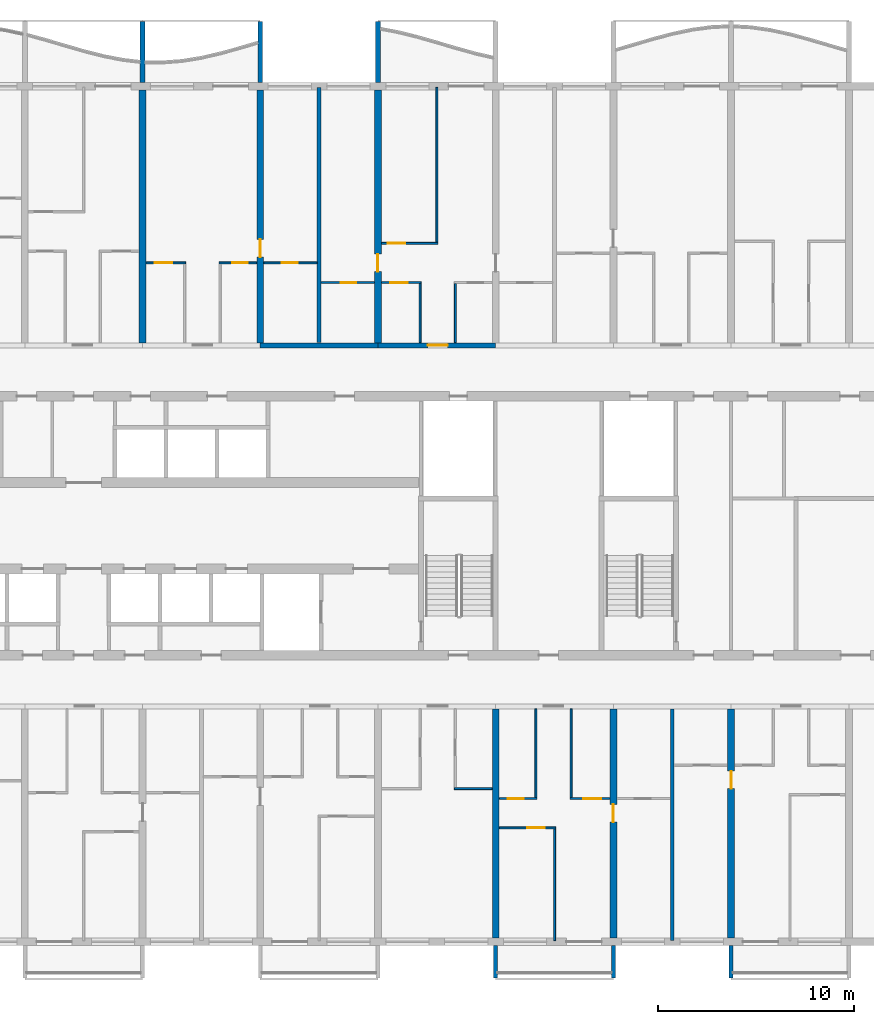
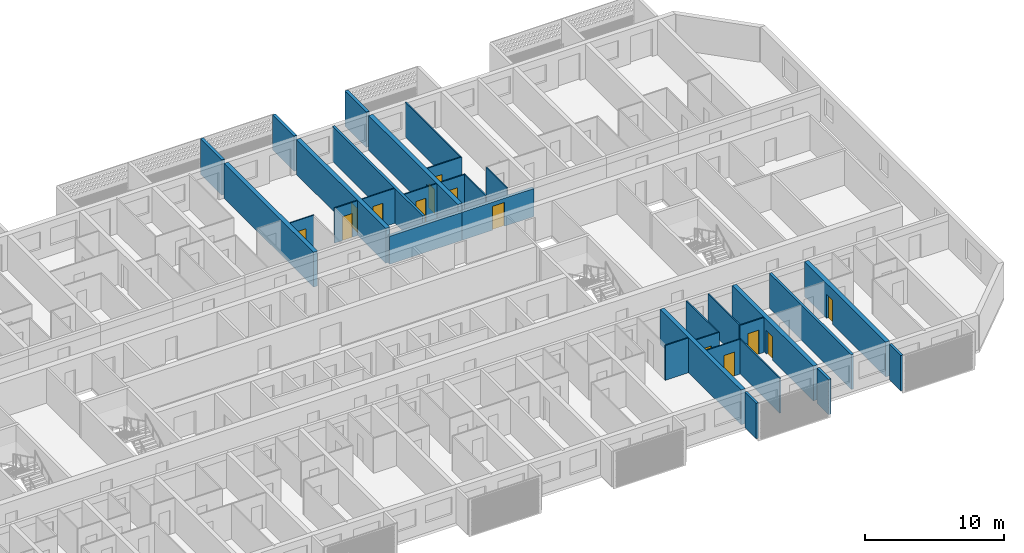
# One storey, part 13 of 26: 32 walls, 14 doors, 14 openings.
"""IFC4 building model written with IfcOpenShell, lengths in metres."""

from ifc_helpers import new_model, si_unit, direction, frame, frame_2d, origin, place, context, subcontext, project, spatial, polyline, rectangle, outline, extrude, source, transform, mapped, material, layer, layer_set, type_object, element, fill, save


model = new_model("IFC4")

# Units and contexts
model_context = context("Model", 3, precision=1e-05, world=origin(), true_north=direction((0.0, 1.0)))
body_context = subcontext(model_context, "Body", "Model", "MODEL_VIEW")
ifc_project = project(units=[si_unit("LENGTHUNIT", "METRE"), si_unit("AREAUNIT", "SQUARE_METRE"), si_unit("VOLUMEUNIT", "CUBIC_METRE"), si_unit("PLANEANGLEUNIT", "RADIAN"), si_unit("MASSUNIT", "GRAM", prefix="KILO")], contexts=[model_context])

# Site, building, storey
site_placement = place(None, origin())
site = spatial("IfcSite", under=ifc_project, at=site_placement, CompositionType="ELEMENT")
building_placement = place(site_placement, origin())
building = spatial("IfcBuilding", under=site, at=building_placement, Name="Poui Terraces", CompositionType="ELEMENT")
storey_placement = place(building_placement, frame((0.0, 0.0, 79.5)))
storey = spatial("IfcBuildingStorey", under=building, at=storey_placement, Name="L21", CompositionType="ELEMENT", Elevation=79.5)

# Wall
ifc_material_1 = material(Name="Concrete 65 MPa", Category="concrete")
ifc_layer_1 = layer(ifc_material_1, 0.25)
ifc_layer_set_1 = layer_set([ifc_layer_1], Name="Concrete 65 MPa")
wall_type_1 = type_object("IfcWallType", Name="CORRIDOR WALL 250 65MPa", PredefinedType="SHEAR", material=ifc_layer_set_1)
wall_1_placement = place(storey_placement, frame((60.0, 30.39990234375, 0.0), z_axis=(0.0, 0.0, 1.0), x_axis=(1.0, 0.0, 0.0)))
element("IfcWall", 1, at=wall_1_placement, inside=storey, type_object=wall_type_1, Name="CORRIDOR WALL LINE E BAY 10", PredefinedType="SHEAR", context=body_context, shape_type="SweptSolid", body=[
    extrude(rectangle(XDim=6.0, YDim=0.25, at=frame_2d((3.0, 0.0))), origin(), (0.0, 0.0, 1.0), 2.4599609375),
])

# Wall, opening, door
wall_2_placement = place(storey_placement, frame((66.0, 30.39990234375, 0.0), z_axis=(0.0, 0.0, 1.0), x_axis=(1.0, 0.0, 0.0)))
wall_2 = element("IfcWall", 2, at=wall_2_placement, inside=storey, type_object=wall_type_1, Name="CORRIDOR WALL LINE E BAY 11", PredefinedType="SHEAR", context=body_context, shape_type="SweptSolid", body=[
    extrude(rectangle(XDim=6.0, YDim=0.25, at=frame_2d((3.0, 0.0))), origin(), (0.0, 0.0, 1.0), 2.4599609375),
])
opening_1_placement = place(wall_2_placement, frame((2.550048828125, 0.0, 0.0)))
opening_1 = element("IfcOpeningElement", 3, at=opening_1_placement, cuts=wall_2, Name="Opening FD30S", PredefinedType="OPENING", context=body_context, shape_type="SweptSolid", body=[
    extrude(rectangle(XDim=1.0, YDim=2.10009765625, at=frame_2d((0.5, 1.050048828125))), frame((0.0, 0.135009765625, 0.0), z_axis=(0.0, -1.0, 0.0), x_axis=(1.0, 0.0, 0.0)), (0.0, 0.0, 1.0), 0.27001953125),
])
ifc_material_2 = material(Name="Steel fire door", Category="steel")
door_type_1 = type_object("IfcDoorType", Name="FLAT ENTRANCE DOOR 1000 X 2100", OperationType="NOTDEFINED", PredefinedType="DOOR", material=ifc_material_2)
door_1_placement = place(opening_1_placement, origin())
door_1 = element("IfcDoor", 4, at=door_1_placement, inside=storey, type_object=door_type_1, Name="FLAT ENTRANCE DOOR 071", OperationType="SINGLE_SWING_RIGHT", OverallHeight=2.10009765625, OverallWidth=1.0, PredefinedType="DOOR", context=body_context, shape_type="SweptSolid", body=[
    extrude(rectangle(XDim=1.0, YDim=2.10009765625, at=frame_2d((0.5, 1.050048828125))), frame((0.0, 0.02490234375, 0.0), z_axis=(0.0, -1.0, 0.0), x_axis=(1.0, 0.0, 0.0)), (0.0, 0.0, 1.0), 0.050048828125),
])
fill(opening_1, door_1)

# Wall
ifc_layer_2 = layer(ifc_material_1, 0.35009765625)
ifc_layer_set_2 = layer_set([ifc_layer_2], Name="Concrete 65 MPa")
wall_type_2 = type_object("IfcWallType", Name="CROSS WALL 350 65MPa", PredefinedType="SHEAR", material=ifc_layer_set_2)
wall_3_placement = place(storey_placement, frame((54.0, 30.52490234375, 0.0), z_axis=(0.0, 0.0, 1.0), x_axis=(0.0, 1.0, 0.0)))
element("IfcWall", 5, at=wall_3_placement, inside=storey, type_object=wall_type_2, Name="CROSS WALL LINE 10 NORTH", PredefinedType="SHEAR", context=body_context, shape_type="SweptSolid", body=[
    extrude(rectangle(XDim=12.875, YDim=0.35009765625, at=frame_2d((6.4375, 0.0))), origin(), (0.0, 0.0, 1.0), 3.06005859375),
])

# Wall, opening, door
wall_4_placement = place(storey_placement, frame((60.0, 30.52490234375, 0.0), z_axis=(0.0, 0.0, 1.0), x_axis=(0.0, 1.0, 0.0)))
wall_4 = element("IfcWall", 6, at=wall_4_placement, inside=storey, type_object=wall_type_2, Name="CROSS WALL LINE 11 NORTH", PredefinedType="SHEAR", context=body_context, shape_type="SweptSolid", body=[
    extrude(rectangle(XDim=12.875, YDim=0.35009765625, at=frame_2d((6.4375, 0.0))), origin(), (0.0, 0.0, 1.0), 3.06005859375),
])
opening_2_placement = place(wall_4_placement, frame((4.375, 0.0, 0.0)))
opening_2 = element("IfcOpeningElement", 7, at=opening_2_placement, cuts=wall_4, Name="Opening D90", PredefinedType="OPENING", context=body_context, shape_type="SweptSolid", body=[
    extrude(rectangle(XDim=0.89990234375, YDim=2.10009765625, at=frame_2d((0.449951171875, 1.050048828125))), frame((0.0, 0.18505859375, 0.0), z_axis=(0.0, -1.0, 0.0), x_axis=(1.0, 0.0, 0.0)), (0.0, 0.0, 1.0), 0.3701171875),
])
ifc_material_3 = material(Name="Solid core timber door", Category="wood")
door_type_2 = type_object("IfcDoorType", Name="INTERNAL DOOR 900 X 2100", OperationType="NOTDEFINED", PredefinedType="DOOR", material=ifc_material_3)
door_2_placement = place(opening_2_placement, frame((0.89990234375, 0.0, 0.0), z_axis=(0.0, 0.0, 1.0), x_axis=(-1.0, 0.0, 0.0)))
door_2 = element("IfcDoor", 8, at=door_2_placement, inside=storey, type_object=door_type_2, Name="INTERNAL DOOR 065", OperationType="SINGLE_SWING_RIGHT", OverallHeight=2.10009765625, OverallWidth=0.89990234375, PredefinedType="DOOR", context=body_context, shape_type="SweptSolid", body=[
    extrude(rectangle(XDim=0.89990234375, YDim=2.10009765625, at=frame_2d((0.449951171875, 1.050048828125))), frame((0.0, 0.02490234375, 0.0), z_axis=(0.0, -1.0, 0.0), x_axis=(1.0, 0.0, 0.0)), (0.0, 0.0, 1.0), 0.050048828125),
])
fill(opening_2, door_2)

wall_5_placement = place(storey_placement, frame((66.0, 30.52490234375, 0.0), z_axis=(0.0, 0.0, 1.0), x_axis=(0.0, 1.0, 0.0)))
wall_5 = element("IfcWall", 9, at=wall_5_placement, inside=storey, type_object=wall_type_2, Name="CROSS WALL LINE 12 NORTH", PredefinedType="SHEAR", context=body_context, shape_type="SweptSolid", body=[
    extrude(rectangle(XDim=12.875, YDim=0.35009765625, at=frame_2d((6.4375, 0.0))), origin(), (0.0, 0.0, 1.0), 3.06005859375),
])
opening_3_placement = place(wall_5_placement, frame((3.625, 0.0, 0.0)))
opening_3 = element("IfcOpeningElement", 10, at=opening_3_placement, cuts=wall_5, Name="Opening D90", PredefinedType="OPENING", context=body_context, shape_type="SweptSolid", body=[
    extrude(rectangle(XDim=0.89990234375, YDim=2.10009765625, at=frame_2d((0.449951171875, 1.050048828125))), frame((0.0, 0.18505859375, 0.0), z_axis=(0.0, -1.0, 0.0), x_axis=(1.0, 0.0, 0.0)), (0.0, 0.0, 1.0), 0.3701171875),
])
door_3_placement = place(opening_3_placement, origin())
door_3 = element("IfcDoor", 11, at=door_3_placement, inside=storey, type_object=door_type_2, Name="INTERNAL DOOR 068", OperationType="SINGLE_SWING_LEFT", OverallHeight=2.10009765625, OverallWidth=0.89990234375, PredefinedType="DOOR", context=body_context, shape_type="SweptSolid", body=[
    extrude(rectangle(XDim=0.89990234375, YDim=2.10009765625, at=frame_2d((0.449951171875, 1.050048828125))), frame((0.0, 0.02490234375, 0.0), z_axis=(0.0, -1.0, 0.0), x_axis=(1.0, 0.0, 0.0)), (0.0, 0.0, 1.0), 0.050048828125),
])
fill(opening_3, door_3)

# Wall
wall_6_placement = place(storey_placement, frame((72.0, 0.199951171875, 0.0), z_axis=(0.0, 0.0, 1.0), x_axis=(0.0, 1.0, 0.0)))
element("IfcWall", 12, at=wall_6_placement, inside=storey, type_object=wall_type_2, Name="CROSS WALL LINE 13 SOUTH", PredefinedType="SHEAR", context=body_context, shape_type="SweptSolid", body=[
    extrude(rectangle(XDim=11.675048828125, YDim=0.35009765625, at=frame_2d((5.83740234375, 0.0))), origin(), (0.0, 0.0, 1.0), 3.06005859375),
])

# Wall, opening, door
wall_7_placement = place(storey_placement, frame((78.0, 0.199951171875, 0.0), z_axis=(0.0, 0.0, 1.0), x_axis=(0.0, 1.0, 0.0)))
wall_7 = element("IfcWall", 13, at=wall_7_placement, inside=storey, type_object=wall_type_2, Name="CROSS WALL LINE 14 SOUTH", PredefinedType="SHEAR", context=body_context, shape_type="SweptSolid", body=[
    extrude(rectangle(XDim=11.675048828125, YDim=0.35009765625, at=frame_2d((5.83740234375, 0.0))), origin(), (0.0, 0.0, 1.0), 3.06005859375),
])
opening_4_placement = place(wall_7_placement, frame((5.89990234375, 0.0, 0.0)))
opening_4 = element("IfcOpeningElement", 14, at=opening_4_placement, cuts=wall_7, Name="Opening D90", PredefinedType="OPENING", context=body_context, shape_type="SweptSolid", body=[
    extrude(rectangle(XDim=0.89990234375, YDim=2.10009765625, at=frame_2d((0.449951171875, 1.050048828125))), frame((0.0, 0.18505859375, 0.0), z_axis=(0.0, -1.0, 0.0), x_axis=(1.0, 0.0, 0.0)), (0.0, 0.0, 1.0), 0.3701171875),
])
door_4_placement = place(opening_4_placement, frame((0.89990234375, 0.0, 0.0), z_axis=(0.0, 0.0, 1.0), x_axis=(-1.0, 0.0, 0.0)))
door_4 = element("IfcDoor", 15, at=door_4_placement, inside=storey, type_object=door_type_2, Name="INTERNAL DOOR 127", OperationType="SINGLE_SWING_LEFT", OverallHeight=2.10009765625, OverallWidth=0.89990234375, PredefinedType="DOOR", context=body_context, shape_type="SweptSolid", body=[
    extrude(rectangle(XDim=0.89990234375, YDim=2.10009765625, at=frame_2d((0.449951171875, 1.050048828125))), frame((0.0, 0.02490234375, 0.0), z_axis=(0.0, -1.0, 0.0), x_axis=(1.0, 0.0, 0.0)), (0.0, 0.0, 1.0), 0.050048828125),
])
fill(opening_4, door_4)

wall_8_placement = place(storey_placement, frame((84.0, 0.199951171875, 0.0), z_axis=(0.0, 0.0, 1.0), x_axis=(0.0, 1.0, 0.0)))
wall_8 = element("IfcWall", 16, at=wall_8_placement, inside=storey, type_object=wall_type_2, Name="CROSS WALL LINE 15 SOUTH", PredefinedType="SHEAR", context=body_context, shape_type="SweptSolid", body=[
    extrude(rectangle(XDim=11.675048828125, YDim=0.35009765625, at=frame_2d((5.83740234375, 0.0))), origin(), (0.0, 0.0, 1.0), 3.06005859375),
])
opening_5_placement = place(wall_8_placement, frame((7.60009765625, 0.0, 0.0)))
opening_5 = element("IfcOpeningElement", 17, at=opening_5_placement, cuts=wall_8, Name="Opening D90", PredefinedType="OPENING", context=body_context, shape_type="SweptSolid", body=[
    extrude(rectangle(XDim=0.89990234375, YDim=2.10009765625, at=frame_2d((0.449951171875, 1.050048828125))), frame((0.0, 0.18505859375, 0.0), z_axis=(0.0, -1.0, 0.0), x_axis=(1.0, 0.0, 0.0)), (0.0, 0.0, 1.0), 0.3701171875),
])
door_5_placement = place(opening_5_placement, origin())
door_5 = element("IfcDoor", 18, at=door_5_placement, inside=storey, type_object=door_type_2, Name="INTERNAL DOOR 129", OperationType="SINGLE_SWING_RIGHT", OverallHeight=2.10009765625, OverallWidth=0.89990234375, PredefinedType="DOOR", context=body_context, shape_type="SweptSolid", body=[
    extrude(rectangle(XDim=0.89990234375, YDim=2.10009765625, at=frame_2d((0.449951171875, 1.050048828125))), frame((0.0, 0.02490234375, 0.0), z_axis=(0.0, -1.0, 0.0), x_axis=(1.0, 0.0, 0.0)), (0.0, 0.0, 1.0), 0.050048828125),
])
fill(opening_5, door_5)

ifc_material_4 = material(Name="Plasterboard partition")
ifc_layer_3 = layer(ifc_material_4, 0.10009765625)
ifc_layer_set_3 = layer_set([ifc_layer_3], Name="Plasterboard partition")
wall_type_3 = type_object("IfcWallType", Name="FLAT PARTITION 100", PredefinedType="PARTITIONING", material=ifc_layer_set_3)
wall_9_placement = place(storey_placement, frame((72.18505859375, 5.800048828125, 0.0), z_axis=(0.0, 0.0, 1.0), x_axis=(1.0, 0.0, 0.0)))
wall_9 = element("IfcWall", 19, at=wall_9_placement, inside=storey, type_object=wall_type_3, Name="FLAT PARTITION 100", PredefinedType="PARTITIONING", context=body_context, shape_type="SweptSolid", body=[
    extrude(rectangle(XDim=2.864990234375, YDim=0.10009765625, at=frame_2d((1.4326171875, 0.0))), origin(), (0.0, 0.0, 1.0), 3.06005859375),
])
opening_6_placement = place(wall_9_placement, frame((1.4150390625, 0.0, 0.0)))
opening_6 = element("IfcOpeningElement", 20, at=opening_6_placement, cuts=wall_9, Name="Opening D90", PredefinedType="OPENING", context=body_context, shape_type="SweptSolid", body=[
    extrude(rectangle(XDim=0.89990234375, YDim=2.10009765625, at=frame_2d((0.449951171875, 1.050048828125))), frame((0.0, 0.06005859375, 0.0), z_axis=(0.0, -1.0, 0.0), x_axis=(1.0, 0.0, 0.0)), (0.0, 0.0, 1.0), 0.1201171875),
])
door_6_placement = place(opening_6_placement, origin())
door_6 = element("IfcDoor", 21, at=door_6_placement, inside=storey, type_object=door_type_2, Name="INTERNAL DOOR 124", OperationType="SINGLE_SWING_LEFT", OverallHeight=2.10009765625, OverallWidth=0.89990234375, PredefinedType="DOOR", context=body_context, shape_type="SweptSolid", body=[
    extrude(rectangle(XDim=0.89990234375, YDim=2.10009765625, at=frame_2d((0.449951171875, 1.050048828125))), frame((0.0, 0.02490234375, 0.0), z_axis=(0.0, -1.0, 0.0), x_axis=(1.0, 0.0, 0.0)), (0.0, 0.0, 1.0), 0.050048828125),
])
fill(opening_6, door_6)

wall_10_placement = place(storey_placement, frame((72.18505859375, 7.300048828125, 0.0), z_axis=(0.0, 0.0, 1.0), x_axis=(1.0, 0.0, 0.0)))
wall_10 = element("IfcWall", 22, at=wall_10_placement, inside=storey, type_object=wall_type_3, Name="FLAT PARTITION 100", PredefinedType="PARTITIONING", context=body_context, shape_type="SweptSolid", body=[
    extrude(rectangle(XDim=1.9150390625, YDim=0.10009765625, at=frame_2d((0.95751953125, 0.0))), origin(), (0.0, 0.0, 1.0), 3.06005859375),
])
opening_7_placement = place(wall_10_placement, frame((0.43994140625, 0.0, 0.0)))
opening_7 = element("IfcOpeningElement", 23, at=opening_7_placement, cuts=wall_10, Name="Opening D80", PredefinedType="OPENING", context=body_context, shape_type="SweptSolid", body=[
    extrude(rectangle(XDim=0.800048828125, YDim=2.10009765625, at=frame_2d((0.39990234375, 1.050048828125))), frame((0.0, 0.06005859375, 0.0), z_axis=(0.0, -1.0, 0.0), x_axis=(1.0, 0.0, 0.0)), (0.0, 0.0, 1.0), 0.1201171875),
])
door_type_3 = type_object("IfcDoorType", Name="BATHROOM, LAUNDRY AND STORE DOOR 800 X 2100", OperationType="NOTDEFINED", PredefinedType="DOOR", material=ifc_material_3)
door_7_placement = place(opening_7_placement, origin())
door_7 = element("IfcDoor", 24, at=door_7_placement, inside=storey, type_object=door_type_3, Name="BATHROOM, LAUNDRY AND STORE DOOR 123", OperationType="SINGLE_SWING_RIGHT", OverallHeight=2.10009765625, OverallWidth=0.800048828125, PredefinedType="DOOR", context=body_context, shape_type="SweptSolid", body=[
    extrude(rectangle(XDim=0.800048828125, YDim=2.10009765625, at=frame_2d((0.39990234375, 1.050048828125))), frame((0.0, 0.02490234375, 0.0), z_axis=(0.0, -1.0, 0.0), x_axis=(1.0, 0.0, 0.0)), (0.0, 0.0, 1.0), 0.050048828125),
])
fill(opening_7, door_7)

wall_11_placement = place(storey_placement, frame((75.800048828125, 7.300048828125, 0.0), z_axis=(0.0, 0.0, 1.0), x_axis=(1.0, 0.0, 0.0)))
wall_11 = element("IfcWall", 25, at=wall_11_placement, inside=storey, type_object=wall_type_3, Name="FLAT PARTITION 100", PredefinedType="PARTITIONING", context=body_context, shape_type="SweptSolid", body=[
    extrude(rectangle(XDim=2.014892578125, YDim=0.10009765625, at=frame_2d((1.00732421875, 0.0))), origin(), (0.0, 0.0, 1.0), 3.06005859375),
])
opening_8_placement = place(wall_11_placement, frame((0.675048828125, 0.0, 0.0)))
opening_8 = element("IfcOpeningElement", 26, at=opening_8_placement, cuts=wall_11, Name="Opening D90", PredefinedType="OPENING", context=body_context, shape_type="SweptSolid", body=[
    extrude(rectangle(XDim=0.89990234375, YDim=2.10009765625, at=frame_2d((0.449951171875, 1.050048828125))), frame((0.0, 0.06005859375, 0.0), z_axis=(0.0, -1.0, 0.0), x_axis=(1.0, 0.0, 0.0)), (0.0, 0.0, 1.0), 0.1201171875),
])
door_8_placement = place(opening_8_placement, origin())
door_8 = element("IfcDoor", 27, at=door_8_placement, inside=storey, type_object=door_type_2, Name="INTERNAL DOOR 126", OperationType="SINGLE_SWING_LEFT", OverallHeight=2.10009765625, OverallWidth=0.89990234375, PredefinedType="DOOR", context=body_context, shape_type="SweptSolid", body=[
    extrude(rectangle(XDim=0.89990234375, YDim=2.10009765625, at=frame_2d((0.449951171875, 1.050048828125))), frame((0.0, 0.02490234375, 0.0), z_axis=(0.0, -1.0, 0.0), x_axis=(1.0, 0.0, 0.0)), (0.0, 0.0, 1.0), 0.050048828125),
])
fill(opening_8, door_8)

# Wall
wall_12_placement = place(storey_placement, frame((69.89990234375, 7.800048828125, 0.0), z_axis=(0.0, 0.0, 1.0), x_axis=(1.0, 0.0, 0.0)))
element("IfcWall", 28, at=wall_12_placement, inside=storey, type_object=wall_type_3, Name="FLAT PARTITION 100", PredefinedType="PARTITIONING", context=body_context, shape_type="SweptSolid", body=[
    extrude(rectangle(XDim=1.9150390625, YDim=0.10009765625, at=frame_2d((0.95751953125, 0.0))), origin(), (0.0, 0.0, 1.0), 3.06005859375),
])

# Wall, opening, door
wall_13_placement = place(storey_placement, frame((63.10009765625, 33.60009765625, 0.0), z_axis=(0.0, 0.0, 1.0), x_axis=(1.0, 0.0, 0.0)))
wall_13 = element("IfcWall", 29, at=wall_13_placement, inside=storey, type_object=wall_type_3, Name="FLAT PARTITION 100", PredefinedType="PARTITIONING", context=body_context, shape_type="SweptSolid", body=[
    extrude(rectangle(XDim=2.71484375, YDim=0.10009765625, at=frame_2d((1.357421875, 0.0))), origin(), (0.0, 0.0, 1.0), 3.06005859375),
])
opening_9_placement = place(wall_13_placement, frame((1.0, 0.0, 0.0)))
opening_9 = element("IfcOpeningElement", 30, at=opening_9_placement, cuts=wall_13, Name="Opening D80", PredefinedType="OPENING", context=body_context, shape_type="SweptSolid", body=[
    extrude(rectangle(XDim=0.800048828125, YDim=2.10009765625, at=frame_2d((0.39990234375, 1.050048828125))), frame((0.0, 0.06005859375, 0.0), z_axis=(0.0, -1.0, 0.0), x_axis=(1.0, 0.0, 0.0)), (0.0, 0.0, 1.0), 0.1201171875),
])
door_9_placement = place(opening_9_placement, frame((0.800048828125, 0.0, 0.0), z_axis=(0.0, 0.0, 1.0), x_axis=(-1.0, 0.0, 0.0)))
door_9 = element("IfcDoor", 31, at=door_9_placement, inside=storey, type_object=door_type_3, Name="BATHROOM, LAUNDRY AND STORE DOOR 066", OperationType="SINGLE_SWING_RIGHT", OverallHeight=2.10009765625, OverallWidth=0.800048828125, PredefinedType="DOOR", context=body_context, shape_type="SweptSolid", body=[
    extrude(rectangle(XDim=0.800048828125, YDim=2.10009765625, at=frame_2d((0.39990234375, 1.050048828125))), frame((0.0, 0.02490234375, 0.0), z_axis=(0.0, -1.0, 0.0), x_axis=(1.0, 0.0, 0.0)), (0.0, 0.0, 1.0), 0.050048828125),
])
fill(opening_9, door_9)

wall_14_placement = place(storey_placement, frame((66.18505859375, 33.60009765625, 0.0), z_axis=(0.0, 0.0, 1.0), x_axis=(1.0, 0.0, 0.0)))
wall_14 = element("IfcWall", 32, at=wall_14_placement, inside=storey, type_object=wall_type_3, Name="FLAT PARTITION 100", PredefinedType="PARTITIONING", context=body_context, shape_type="SweptSolid", body=[
    extrude(rectangle(XDim=2.014892578125, YDim=0.10009765625, at=frame_2d((1.00732421875, 0.0))), origin(), (0.0, 0.0, 1.0), 3.06005859375),
])
opening_10_placement = place(wall_14_placement, frame((0.43994140625, 0.0, 0.0)))
opening_10 = element("IfcOpeningElement", 33, at=opening_10_placement, cuts=wall_14, Name="Opening D90", PredefinedType="OPENING", context=body_context, shape_type="SweptSolid", body=[
    extrude(rectangle(XDim=0.89990234375, YDim=2.10009765625, at=frame_2d((0.449951171875, 1.050048828125))), frame((0.0, 0.06005859375, 0.0), z_axis=(0.0, -1.0, 0.0), x_axis=(1.0, 0.0, 0.0)), (0.0, 0.0, 1.0), 0.1201171875),
])
door_10_placement = place(opening_10_placement, frame((0.89990234375, 0.0, 0.0), z_axis=(0.0, 0.0, 1.0), x_axis=(-1.0, 0.0, 0.0)))
door_10 = element("IfcDoor", 34, at=door_10_placement, inside=storey, type_object=door_type_2, Name="INTERNAL DOOR 070", OperationType="SINGLE_SWING_RIGHT", OverallHeight=2.10009765625, OverallWidth=0.89990234375, PredefinedType="DOOR", context=body_context, shape_type="SweptSolid", body=[
    extrude(rectangle(XDim=0.89990234375, YDim=2.10009765625, at=frame_2d((0.449951171875, 1.050048828125))), frame((0.0, 0.02490234375, 0.0), z_axis=(0.0, -1.0, 0.0), x_axis=(1.0, 0.0, 0.0)), (0.0, 0.0, 1.0), 0.050048828125),
])
fill(opening_10, door_10)

wall_15_placement = place(storey_placement, frame((54.18505859375, 34.60009765625, 0.0), z_axis=(0.0, 0.0, 1.0), x_axis=(1.0, 0.0, 0.0)))
wall_15 = element("IfcWall", 35, at=wall_15_placement, inside=storey, type_object=wall_type_3, Name="FLAT PARTITION 100", PredefinedType="PARTITIONING", context=body_context, shape_type="SweptSolid", body=[
    extrude(rectangle(XDim=2.014892578125, YDim=0.10009765625, at=frame_2d((1.00732421875, 0.0))), origin(), (0.0, 0.0, 1.0), 3.06005859375),
])
opening_11_placement = place(wall_15_placement, frame((0.43994140625, 0.0, 0.0)))
opening_11 = element("IfcOpeningElement", 36, at=opening_11_placement, cuts=wall_15, Name="Opening D90", PredefinedType="OPENING", context=body_context, shape_type="SweptSolid", body=[
    extrude(rectangle(XDim=0.89990234375, YDim=2.10009765625, at=frame_2d((0.449951171875, 1.050048828125))), frame((0.0, 0.06005859375, 0.0), z_axis=(0.0, -1.0, 0.0), x_axis=(1.0, 0.0, 0.0)), (0.0, 0.0, 1.0), 0.1201171875),
])
door_11_placement = place(opening_11_placement, frame((0.89990234375, 0.0, 0.0), z_axis=(0.0, 0.0, 1.0), x_axis=(-1.0, 0.0, 0.0)))
door_11 = element("IfcDoor", 37, at=door_11_placement, inside=storey, type_object=door_type_2, Name="INTERNAL DOOR 062", OperationType="SINGLE_SWING_RIGHT", OverallHeight=2.10009765625, OverallWidth=0.89990234375, PredefinedType="DOOR", context=body_context, shape_type="SweptSolid", body=[
    extrude(rectangle(XDim=0.89990234375, YDim=2.10009765625, at=frame_2d((0.449951171875, 1.050048828125))), frame((0.0, 0.02490234375, 0.0), z_axis=(0.0, -1.0, 0.0), x_axis=(1.0, 0.0, 0.0)), (0.0, 0.0, 1.0), 0.050048828125),
])
fill(opening_11, door_11)

wall_16_placement = place(storey_placement, frame((57.89990234375, 34.60009765625, 0.0), z_axis=(0.0, 0.0, 1.0), x_axis=(1.0, 0.0, 0.0)))
wall_16 = element("IfcWall", 38, at=wall_16_placement, inside=storey, type_object=wall_type_3, Name="FLAT PARTITION 100", PredefinedType="PARTITIONING", context=body_context, shape_type="SweptSolid", body=[
    extrude(rectangle(XDim=1.9150390625, YDim=0.10009765625, at=frame_2d((0.95751953125, 0.0))), origin(), (0.0, 0.0, 1.0), 3.06005859375),
])
opening_12_placement = place(wall_16_placement, frame((0.675048828125, 0.0, 0.0)))
opening_12 = element("IfcOpeningElement", 39, at=opening_12_placement, cuts=wall_16, Name="Opening D80", PredefinedType="OPENING", context=body_context, shape_type="SweptSolid", body=[
    extrude(rectangle(XDim=0.800048828125, YDim=2.10009765625, at=frame_2d((0.39990234375, 1.050048828125))), frame((0.0, 0.06005859375, 0.0), z_axis=(0.0, -1.0, 0.0), x_axis=(1.0, 0.0, 0.0)), (0.0, 0.0, 1.0), 0.1201171875),
])
door_12_placement = place(opening_12_placement, frame((0.800048828125, 0.0, 0.0), z_axis=(0.0, 0.0, 1.0), x_axis=(-1.0, 0.0, 0.0)))
door_12 = element("IfcDoor", 40, at=door_12_placement, inside=storey, type_object=door_type_3, Name="BATHROOM, LAUNDRY AND STORE DOOR 064", OperationType="SINGLE_SWING_LEFT", OverallHeight=2.10009765625, OverallWidth=0.800048828125, PredefinedType="DOOR", context=body_context, shape_type="SweptSolid", body=[
    extrude(rectangle(XDim=0.800048828125, YDim=2.10009765625, at=frame_2d((0.39990234375, 1.050048828125))), frame((0.0, 0.02490234375, 0.0), z_axis=(0.0, -1.0, 0.0), x_axis=(1.0, 0.0, 0.0)), (0.0, 0.0, 1.0), 0.050048828125),
])
fill(opening_12, door_12)

wall_17_placement = place(storey_placement, frame((60.18505859375, 34.60009765625, 0.0), z_axis=(0.0, 0.0, 1.0), x_axis=(1.0, 0.0, 0.0)))
wall_17 = element("IfcWall", 41, at=wall_17_placement, inside=storey, type_object=wall_type_3, Name="FLAT PARTITION 100", PredefinedType="PARTITIONING", context=body_context, shape_type="SweptSolid", body=[
    extrude(rectangle(XDim=2.71484375, YDim=0.10009765625, at=frame_2d((1.357421875, 0.0))), origin(), (0.0, 0.0, 1.0), 3.06005859375),
])
opening_13_placement = place(wall_17_placement, frame((0.9150390625, 0.0, 0.0)))
opening_13 = element("IfcOpeningElement", 42, at=opening_13_placement, cuts=wall_17, Name="Opening D80", PredefinedType="OPENING", context=body_context, shape_type="SweptSolid", body=[
    extrude(rectangle(XDim=0.800048828125, YDim=2.10009765625, at=frame_2d((0.39990234375, 1.050048828125))), frame((0.0, 0.06005859375, 0.0), z_axis=(0.0, -1.0, 0.0), x_axis=(1.0, 0.0, 0.0)), (0.0, 0.0, 1.0), 0.1201171875),
])
door_13_placement = place(opening_13_placement, frame((0.800048828125, 0.0, 0.0), z_axis=(0.0, 0.0, 1.0), x_axis=(-1.0, 0.0, 0.0)))
door_13 = element("IfcDoor", 43, at=door_13_placement, inside=storey, type_object=door_type_3, Name="BATHROOM, LAUNDRY AND STORE DOOR 061", OperationType="SINGLE_SWING_LEFT", OverallHeight=2.10009765625, OverallWidth=0.800048828125, PredefinedType="DOOR", context=body_context, shape_type="SweptSolid", body=[
    extrude(rectangle(XDim=0.800048828125, YDim=2.10009765625, at=frame_2d((0.39990234375, 1.050048828125))), frame((0.0, 0.02490234375, 0.0), z_axis=(0.0, -1.0, 0.0), x_axis=(1.0, 0.0, 0.0)), (0.0, 0.0, 1.0), 0.050048828125),
])
fill(opening_13, door_13)

wall_18_placement = place(storey_placement, frame((66.18505859375, 35.60009765625, 0.0), z_axis=(0.0, 0.0, 1.0), x_axis=(1.0, 0.0, 0.0)))
wall_18 = element("IfcWall", 44, at=wall_18_placement, inside=storey, type_object=wall_type_3, Name="FLAT PARTITION 100", PredefinedType="PARTITIONING", context=body_context, shape_type="SweptSolid", body=[
    extrude(rectangle(XDim=2.864990234375, YDim=0.10009765625, at=frame_2d((1.4326171875, 0.0))), origin(), (0.0, 0.0, 1.0), 3.06005859375),
])
opening_14_placement = place(wall_18_placement, frame((0.31494140625, 0.0, 0.0)))
opening_14 = element("IfcOpeningElement", 45, at=opening_14_placement, cuts=wall_18, Name="Opening D90", PredefinedType="OPENING", context=body_context, shape_type="SweptSolid", body=[
    extrude(rectangle(XDim=0.89990234375, YDim=2.10009765625, at=frame_2d((0.449951171875, 1.050048828125))), frame((0.0, 0.06005859375, 0.0), z_axis=(0.0, -1.0, 0.0), x_axis=(1.0, 0.0, 0.0)), (0.0, 0.0, 1.0), 0.1201171875),
])
door_14_placement = place(opening_14_placement, frame((0.89990234375, 0.0, 0.0), z_axis=(0.0, 0.0, 1.0), x_axis=(-1.0, 0.0, 0.0)))
door_14 = element("IfcDoor", 46, at=door_14_placement, inside=storey, type_object=door_type_2, Name="INTERNAL DOOR 069", OperationType="SINGLE_SWING_LEFT", OverallHeight=2.10009765625, OverallWidth=0.89990234375, PredefinedType="DOOR", context=body_context, shape_type="SweptSolid", body=[
    extrude(rectangle(XDim=0.89990234375, YDim=2.10009765625, at=frame_2d((0.449951171875, 1.050048828125))), frame((0.0, 0.02490234375, 0.0), z_axis=(0.0, -1.0, 0.0), x_axis=(1.0, 0.0, 0.0)), (0.0, 0.0, 1.0), 0.050048828125),
])
fill(opening_14, door_14)

# Walls
wall_19_placement = place(storey_placement, frame((68.14990234375, 30.534912109375, 0.0), z_axis=(0.0, 0.0, 1.0), x_axis=(0.0, 1.0, 0.0)))
element("IfcWall", 47, at=wall_19_placement, inside=storey, type_object=wall_type_3, Name="FLAT PARTITION 100", PredefinedType="PARTITIONING", context=body_context, shape_type="SweptSolid", body=[
    extrude(rectangle(XDim=3.01513671875, YDim=0.10009765625, at=frame_2d((1.507568359375, 0.0))), origin(), (0.0, 0.0, 1.0), 3.06005859375),
])
wall_20_placement = place(storey_placement, frame((69.0, 35.64990234375, 0.0), z_axis=(0.0, 0.0, 1.0), x_axis=(0.0, 1.0, 0.0)))
element("IfcWall", 48, at=wall_20_placement, inside=storey, type_object=wall_type_3, Name="FLAT PARTITION 100", PredefinedType="PARTITIONING", context=body_context, shape_type="SweptSolid", body=[
    extrude(rectangle(XDim=7.89013671875, YDim=0.10009765625, at=frame_2d((3.945068359375, 0.0))), origin(), (0.0, 0.0, 1.0), 3.06005859375),
])
wall_21_placement = place(storey_placement, frame((69.949951171875, 30.534912109375, 0.0), z_axis=(0.0, 0.0, 1.0), x_axis=(0.0, 1.0, 0.0)))
element("IfcWall", 49, at=wall_21_placement, inside=storey, type_object=wall_type_3, Name="FLAT PARTITION 100", PredefinedType="PARTITIONING", context=body_context, shape_type="SweptSolid", body=[
    extrude(rectangle(XDim=3.01513671875, YDim=0.10009765625, at=frame_2d((1.507568359375, 0.0))), origin(), (0.0, 0.0, 1.0), 3.06005859375),
])
wall_22_placement = place(storey_placement, frame((74.050048828125, 7.35009765625, 0.0), z_axis=(0.0, 0.0, 1.0), x_axis=(0.0, 1.0, 0.0)))
element("IfcWall", 50, at=wall_22_placement, inside=storey, type_object=wall_type_3, Name="FLAT PARTITION 100", PredefinedType="PARTITIONING", context=body_context, shape_type="SweptSolid", body=[
    extrude(rectangle(XDim=4.514892578125, YDim=0.10009765625, at=frame_2d((2.25732421875, 0.0))), origin(), (0.0, 0.0, 1.0), 3.06005859375),
])
wall_23_placement = place(storey_placement, frame((75.0, 0.06005859375, 0.0), z_axis=(0.0, 0.0, 1.0), x_axis=(0.0, 1.0, 0.0)))
element("IfcWall", 51, at=wall_23_placement, inside=storey, type_object=wall_type_3, Name="FLAT PARTITION 100", PredefinedType="PARTITIONING", context=body_context, shape_type="SweptSolid", body=[
    extrude(rectangle(XDim=5.68994140625, YDim=0.10009765625, at=frame_2d((2.844970703125, 0.0))), origin(), (0.0, 0.0, 1.0), 3.06005859375),
])
wall_24_placement = place(storey_placement, frame((75.85009765625, 7.35009765625, 0.0), z_axis=(0.0, 0.0, 1.0), x_axis=(0.0, 1.0, 0.0)))
element("IfcWall", 52, at=wall_24_placement, inside=storey, type_object=wall_type_3, Name="FLAT PARTITION 100", PredefinedType="PARTITIONING", context=body_context, shape_type="SweptSolid", body=[
    extrude(rectangle(XDim=4.514892578125, YDim=0.10009765625, at=frame_2d((2.25732421875, 0.0))), origin(), (0.0, 0.0, 1.0), 3.06005859375),
])
ifc_material_5 = material(Name="Fire-rated masonry wall", Category="masonry")
ifc_layer_4 = layer(ifc_material_5, 0.199951171875)
ifc_layer_set_4 = layer_set([ifc_layer_4], Name="Fire-rated masonry wall")
wall_type_4 = type_object("IfcWallType", Name="FLAT PARTY WALL 200", PredefinedType="PARTITIONING", material=ifc_layer_set_4)
wall_25_placement = place(storey_placement, frame((63.0, 30.534912109375, 0.0), z_axis=(0.0, 0.0, 1.0), x_axis=(0.0, 1.0, 0.0)))
element("IfcWall", 53, at=wall_25_placement, inside=storey, type_object=wall_type_4, Name="FLAT PARTY WALL 200", PredefinedType="PARTITIONING", context=body_context, shape_type="SweptSolid", body=[
    extrude(rectangle(XDim=13.005126953125, YDim=0.199951171875, at=frame_2d((6.50244140625, 0.0))), origin(), (0.0, 0.0, 1.0), 3.06005859375),
])
wall_26_placement = place(storey_placement, frame((81.0, 0.06005859375, 0.0), z_axis=(0.0, 0.0, 1.0), x_axis=(0.0, 1.0, 0.0)))
element("IfcWall", 54, at=wall_26_placement, inside=storey, type_object=wall_type_4, Name="FLAT PARTY WALL 200", PredefinedType="PARTITIONING", context=body_context, shape_type="SweptSolid", body=[
    extrude(rectangle(XDim=11.804931640625, YDim=0.199951171875, at=frame_2d((5.90234375, 0.0))), origin(), (0.0, 0.0, 1.0), 3.06005859375),
])
ifc_material_6 = material(Name="Precast concrete 40 MPa", Category="concrete")
ifc_layer_5 = layer(ifc_material_6, 0.199951171875)
ifc_layer_set_5 = layer_set([ifc_layer_5], Name="Precast concrete 40 MPa")
wall_type_5 = type_object("IfcWallType", Name="REAR FIN 200", PredefinedType="STANDARD", material=ifc_layer_set_5)
shared_shape_1 = source(origin(), body_context, "Body", "SweptSolid", [
    extrude(outline(polyline([(0.0, 0.0), (0.2001953125, 0.0), (0.2001953125, 1.650146484375), (0.0, 1.650146484375), (0.0, 0.0)])), origin(), (0.0, 0.0, 1.0), 3.10009765625),
])
for number, where, name in (
    (55, (71.89990234375, -1.85009765625, 0.0), "REAR FIN"),
    (56, (77.89990234375, -1.85009765625, 0.0), "REAR FIN"),
    (57, (83.89990234375, -1.85009765625, 0.0), "REAR FIN"),
):
    element("IfcWall", number, at=place(storey_placement, frame(where)), inside=storey, type_object=wall_type_5, Name=name, PredefinedType="STANDARD", context=body_context, shape_type="MappedRepresentation", body=[
        mapped(shared_shape_1, transform((0.0, 0.0, 0.0))),
    ])
ifc_layer_6 = layer(ifc_material_6, 0.25)
ifc_layer_set_6 = layer_set([ifc_layer_6], Name="Precast concrete 40 MPa")
wall_type_6 = type_object("IfcWallType", Name="BALCONY FIN 250", PredefinedType="STANDARD", material=ifc_layer_set_6)
shared_shape_2 = source(origin(), body_context, "Body", "SweptSolid", [
    extrude(outline(polyline([(0.0, 0.0), (0.25, 0.0), (0.25, 3.099853515625), (0.0, 3.099853515625), (0.0, 0.0)])), origin(), (0.0, 0.0, 1.0), 3.10009765625),
])
for number, where, name in (
    (58, (53.875, 43.800048828125, 0.0), "BALCONY FIN"),
    (59, (59.875, 43.800048828125, 0.0), "BALCONY FIN"),
    (60, (65.875, 43.800048828125, 0.0), "BALCONY FIN"),
):
    element("IfcWall", number, at=place(storey_placement, frame(where)), inside=storey, type_object=wall_type_6, Name=name, PredefinedType="STANDARD", context=body_context, shape_type="MappedRepresentation", body=[
        mapped(shared_shape_2, transform((0.0, 0.0, 0.0))),
    ])

save(model, "model.ifc")
